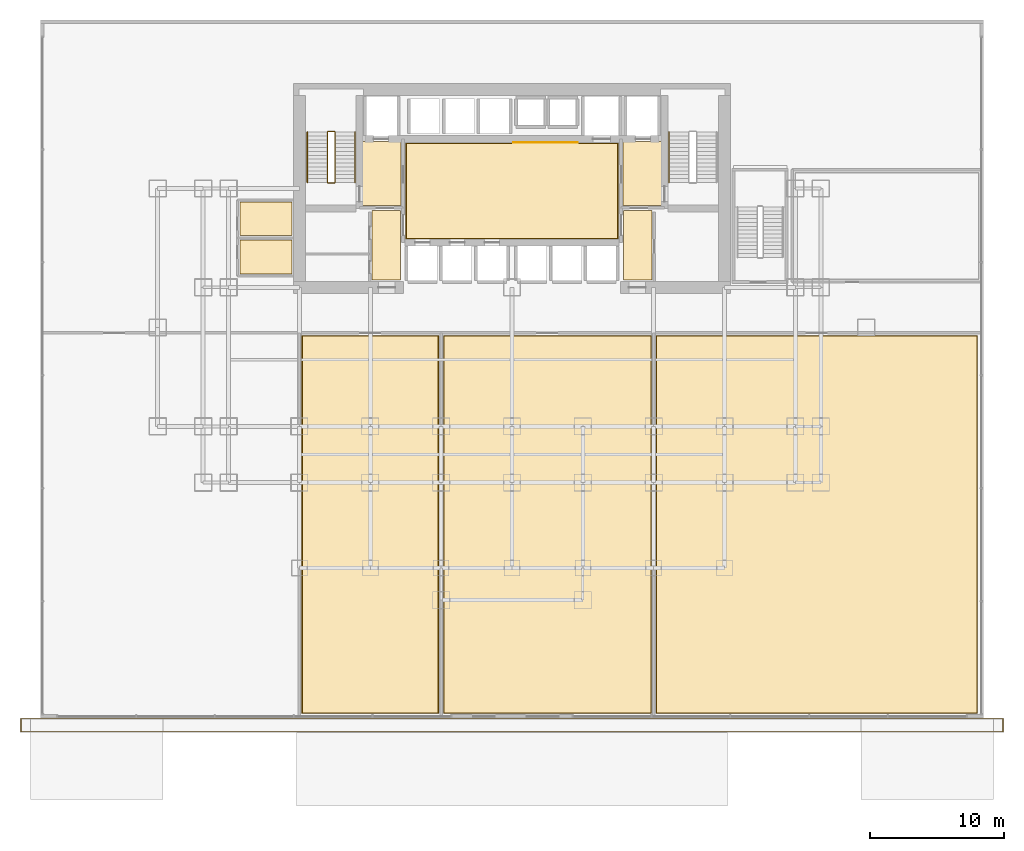
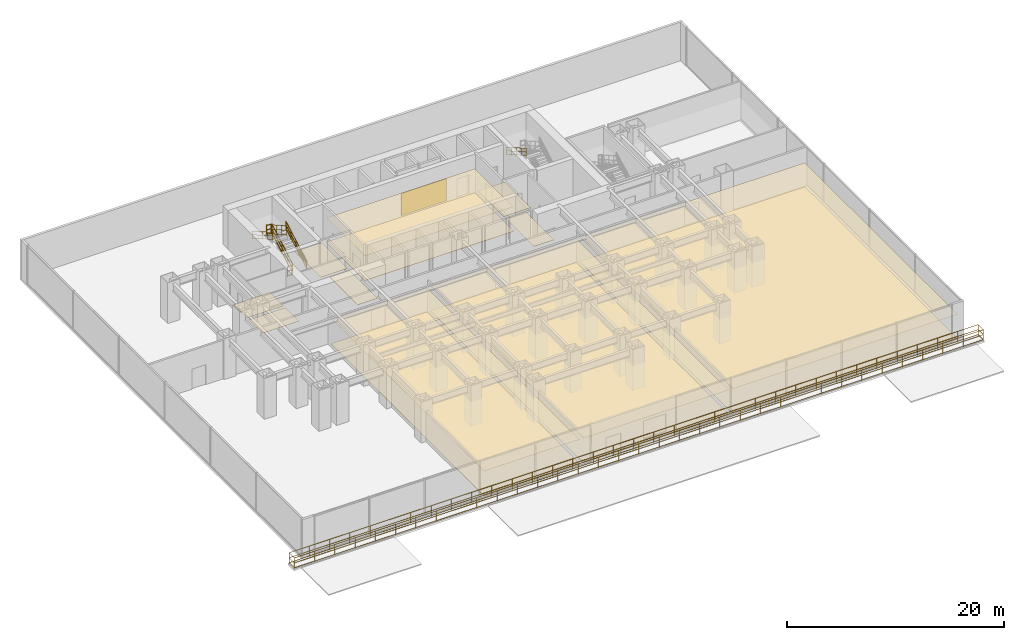
# One storey, part 12 of 13: 15 coverings, 8 railings.
"""IFC4 building model written with IfcOpenShell, lengths in metres."""

import ifcopenshell
import ifcopenshell.guid

model = None  # the IFC model being written
_history = None  # IfcOwnerHistory: only IFC2X3 demands one
_inside = {}  # id of a spatial element -> (the spatial element, [elements in it])
_under = {}  # id of a project, library or spatial element -> (it, [spatial elements below it])
_declared = {}  # id of a project -> (the project, [libraries it declares])
_typed = {}  # id of a type object -> (the type object, [elements of that type])
_made_of = {}  # id of a material, layer set ... -> (it, [elements and type objects made of it])


def new_model(schema):
    """Start an empty IFC model of exactly this schema.

    Asked for "IFC4X3", IfcOpenShell would pick the latest addendum, in which some entities
    have other attributes; the version numbers below select the first issue.
    IFC2X3 requires an IfcOwnerHistory on every rooted entity: one is made here for all.
    """
    global model, _history
    if schema == "IFC4X3":
        model = ifcopenshell.file(schema_version=(4, 3, 0, 0))
    else:
        model = ifcopenshell.file(schema=schema)
    _inside.clear()
    _under.clear()
    _declared.clear()
    _typed.clear()
    _made_of.clear()
    _history = None
    if model.schema == "IFC2X3":
        org = make("IfcOrganization", Name="unknown")
        user = make(
            "IfcPersonAndOrganization",
            ThePerson=make("IfcPerson", FamilyName="unknown"),
            TheOrganization=org,
        )
        app = make(
            "IfcApplication",
            ApplicationDeveloper=org,
            Version="unknown",
            ApplicationFullName="unknown",
            ApplicationIdentifier="unknown",
        )
        _history = make(
            "IfcOwnerHistory",
            OwningUser=user,
            OwningApplication=app,
            ChangeAction="ADDED",
            CreationDate=0,
        )
    return model


def make(cls, **values):
    """One entity of the class cls with the attributes given. An attribute that is None is left unset."""
    return model.create_entity(
        cls, **{name: value for name, value in values.items() if value is not None}
    )


def rooted(cls, **values):
    """An entity with a GlobalId (a new one), such as an element, a storey or a relation."""
    return make(cls, GlobalId=ifcopenshell.guid.new(), OwnerHistory=_history, **values)


def si_unit(unit_type, name, prefix=None):
    """IfcSIUnit, for example si_unit("LENGTHUNIT", "METRE", prefix="MILLI")."""
    return make("IfcSIUnit", UnitType=unit_type, Prefix=prefix, Name=name)


def assignment(units):
    """IfcUnitAssignment: the units of a project."""
    return None if units is None else make("IfcUnitAssignment", Units=units)


def point(xyz):
    """IfcCartesianPoint."""
    return None if xyz is None else make("IfcCartesianPoint", Coordinates=xyz)


def direction(xyz):
    """IfcDirection."""
    return None if xyz is None else make("IfcDirection", DirectionRatios=xyz)


def frame(location, z_axis=None, x_axis=None):
    """IfcAxis2Placement3D, a coordinate frame: its origin and axes. An axis left out is left unset."""
    return make(
        "IfcAxis2Placement3D",
        Location=point(location),
        Axis=direction(z_axis),
        RefDirection=direction(x_axis),
    )


def frame_2d(location, x_axis=None):
    """IfcAxis2Placement2D, a coordinate frame in the plane: its origin and x axis."""
    return make(
        "IfcAxis2Placement2D", Location=point(location), RefDirection=direction(x_axis)
    )


def origin():
    """The frame at (0, 0, 0) with its axes left unset."""
    return frame((0.0, 0.0, 0.0))


def origin_2d():
    """The frame at (0, 0) in the plane with its x axis left unset."""
    return frame_2d((0.0, 0.0))


def place(relative_to, where):
    """IfcLocalPlacement: puts the frame where relative to a parent placement (None: the world)."""
    return make(
        "IfcLocalPlacement", PlacementRelTo=relative_to, RelativePlacement=where
    )


def context(
    kind, dimensions, precision=None, world=None, true_north=None, identifier=None
):
    """IfcGeometricRepresentationContext, for example the 3D "Model" context."""
    return make(
        "IfcGeometricRepresentationContext",
        ContextIdentifier=identifier,
        ContextType=kind,
        CoordinateSpaceDimension=dimensions,
        Precision=precision,
        WorldCoordinateSystem=world,
        TrueNorth=true_north,
    )


def subcontext(parent, identifier, kind, view, scale=None):
    """IfcGeometricRepresentationSubContext, for example "Body" below "Model"."""
    return make(
        "IfcGeometricRepresentationSubContext",
        ContextIdentifier=identifier,
        ContextType=kind,
        ParentContext=parent,
        TargetScale=scale,
        TargetView=view,
    )


def project(units=None, contexts=None):
    """IfcProject with its units and contexts."""
    return rooted(
        "IfcProject",
        Name="project",
        RepresentationContexts=contexts,
        UnitsInContext=assignment(units),
    )


def spatial(cls, under=None, at=None, **own):
    """A site, building, storey or space (cls), placed at a placement, below another one or the project."""
    s = rooted(cls, ObjectPlacement=at, **own)
    if under is not None:
        _under.setdefault(under.id(), (under, []))[1].append(s)
    return s


def polyline(points):
    """IfcPolyline through the points."""
    return make("IfcPolyline", Points=[point(p) for p in points])


def profile(cls, at=None, kind="AREA", **sizes):
    """A parametric profile (cls). Its sizes go by their IFC names, for example OverallWidth=200.0."""
    return make(cls, ProfileType=kind, Position=at, **sizes)


def circle(**sizes):
    """IfcCircleProfileDef."""
    return profile("IfcCircleProfileDef", **sizes)


def outline(outer, holes=None, kind="AREA"):
    """IfcArbitraryClosedProfileDef: a profile drawn as a closed curve; with holes, ...WithVoids."""
    if holes is None:
        return make("IfcArbitraryClosedProfileDef", ProfileType=kind, OuterCurve=outer)
    return make(
        "IfcArbitraryProfileDefWithVoids",
        ProfileType=kind,
        OuterCurve=outer,
        InnerCurves=holes,
    )


def extrude(swept, where, along, depth):
    """IfcExtrudedAreaSolid: the profile swept, set in the frame where, extruded along a direction by depth."""
    return make(
        "IfcExtrudedAreaSolid",
        SweptArea=swept,
        Position=where,
        ExtrudedDirection=direction(along),
        Depth=depth,
    )


def shape(context_of_items, identifier, shape_type, items):
    """IfcShapeRepresentation: the items that make up one representation, for example the "Body"."""
    return make(
        "IfcShapeRepresentation",
        ContextOfItems=context_of_items,
        RepresentationIdentifier=identifier,
        RepresentationType=shape_type,
        Items=items,
    )


def material(Name=None, Category=None):
    """IfcMaterial."""
    return make("IfcMaterial", Name=Name, Category=Category)


def layer(
    of_material, thickness, ventilated=None, Name=None, Category=None, Priority=None
):
    """IfcMaterialLayer: one layer of a wall or slab, of a material (None: an air gap)."""
    return make(
        "IfcMaterialLayer",
        Material=of_material,
        LayerThickness=thickness,
        IsVentilated=ventilated,
        Name=Name,
        Category=Category,
        Priority=Priority,
    )


def layer_set(layers, Name=None):
    """IfcMaterialLayerSet."""
    return make("IfcMaterialLayerSet", MaterialLayers=layers, LayerSetName=Name)


def made_of(thing, what):
    """Note that an element or type object is made of a material, layer set ...; save() writes the relation."""
    if what is not None:
        _made_of.setdefault(what.id(), (what, []))[1].append(thing)
    return thing


def type_object(cls, material=None, **own):
    """A type object (cls), such as IfcWallType, which elements share."""
    return made_of(rooted(cls, **own), material)


def element(
    cls,
    number,
    at=None,
    inside=None,
    cuts=None,
    type_object=None,
    material=None,
    context=None,
    identifier="Body",
    shape_type=None,
    held_by="IfcProductDefinitionShape",
    body=None,
    shapes=None,
    **own,
):
    """One element of the class cls, such as IfcWall. Its Tag is "e" and its number.

    at: its placement. inside: the storey or other place that contains it. cuts: it is an
    opening in that element (IfcRelVoidsElement). A single representation is given by context,
    identifier, shape_type and body (its items); several are given by shapes. held_by: the class
    of the entity that holds the representations. save() writes the other relations.
    """
    e = rooted(cls, Tag="e%d" % number, ObjectPlacement=at, **own)
    if body is not None:
        shapes = [shape(context, identifier, shape_type, body)]
    if shapes is not None:
        e.Representation = make(held_by, Representations=shapes)
    if inside is not None:
        _inside.setdefault(inside.id(), (inside, []))[1].append(e)
    if cuts is not None:
        rooted(
            "IfcRelVoidsElement", RelatingBuildingElement=cuts, RelatedOpeningElement=e
        )
    if type_object is not None:
        _typed.setdefault(type_object.id(), (type_object, []))[1].append(e)
    return made_of(e, material)


def aggregate(whole, parts):
    """IfcRelAggregates: a whole, such as a stair, and the parts it consists of."""
    return rooted("IfcRelAggregates", RelatingObject=whole, RelatedObjects=parts)


def save(model, path):
    """Write the relations noted so far, then the file.

    IfcRelAggregates (storeys below a building ...), IfcRelContainedInSpatialStructure (elements
    in a storey), IfcRelDefinesByType, IfcRelAssociatesMaterial and IfcRelDeclares: one each for
    every whole, place, type object, material and project.
    """
    for whole, parts in _under.values():
        aggregate(whole, parts)
    for where, things in _inside.values():
        rooted(
            "IfcRelContainedInSpatialStructure",
            RelatedElements=things,
            RelatingStructure=where,
        )
    for kind, things in _typed.values():
        rooted("IfcRelDefinesByType", RelatedObjects=things, RelatingType=kind)
    for what, things in _made_of.values():
        rooted("IfcRelAssociatesMaterial", RelatedObjects=things, RelatingMaterial=what)
    for by, libraries in _declared.values():
        rooted("IfcRelDeclares", RelatingContext=by, RelatedDefinitions=libraries)
    model.write(path)


model = new_model("IFC4")

# Units and contexts
model_context = context("Model", 3, precision=1e-05, world=origin(), true_north=direction((0.0, 1.0)))
body_context = subcontext(model_context, "Body", "Model", "MODEL_VIEW")
ifc_project = project(units=[si_unit("LENGTHUNIT", "METRE"), si_unit("AREAUNIT", "SQUARE_METRE"), si_unit("VOLUMEUNIT", "CUBIC_METRE"), si_unit("PLANEANGLEUNIT", "RADIAN"), si_unit("MASSUNIT", "GRAM", prefix="KILO")], contexts=[model_context])

# Site, building, storey
site_placement = place(None, origin())
site = spatial("IfcSite", under=ifc_project, at=site_placement, CompositionType="ELEMENT")
building_placement = place(site_placement, origin())
building = spatial("IfcBuilding", under=site, at=building_placement, Name="Qianlan Lanfeng Residences", CompositionType="ELEMENT")
storey_placement = place(building_placement, frame((0.0, 0.0, 5.199951171875)))
storey = spatial("IfcBuildingStorey", under=building, at=storey_placement, Name="L01", CompositionType="ELEMENT", Elevation=5.199951171875)

# Coverings
ifc_material_1 = material(Name="Anodised Bronze Feature Wall Cladding")
ifc_layer_1 = layer(ifc_material_1, 0.02490234375)
ifc_layer_set_1 = layer_set([ifc_layer_1], Name="Anodised Bronze Feature Wall Cladding")
covering_type_1 = type_object("IfcCoveringType", Name="CLD-BRZ-25", PredefinedType="CLADDING", material=ifc_layer_set_1)
covering_1_placement = place(storey_placement, frame((0.0, 0.0, 0.150146484375)))
element("IfcCovering", 1, at=covering_1_placement, inside=storey, type_object=covering_type_1, Name="L01 Lift Lobby Bronze Feature Cladding", PredefinedType="CLADDING", context=body_context, shape_type="SweptSolid", body=[
    extrude(outline(polyline([(26.60009765625, 36.02490234375), (31.39990234375, 36.02490234375), (31.39990234375, 36.050048828125), (26.60009765625, 36.050048828125), (26.60009765625, 36.02490234375)])), origin(), (0.0, 0.0, 1.0), 2.5),
])
ifc_material_2 = material(Name="Acoustic Perforated Gypsum Ceiling Board")
ifc_layer_2 = layer(ifc_material_2, 0.02001953125)
ifc_layer_set_2 = layer_set([ifc_layer_2], Name="Acoustic Perforated Gypsum Ceiling Board")
covering_type_2 = type_object("IfcCoveringType", Name="CLG-GYP-15", PredefinedType="CEILING", material=ifc_layer_set_2)
covering_2_placement = place(storey_placement, frame((0.0, 0.0, 2.75)))
element("IfcCovering", 2, at=covering_2_placement, inside=storey, type_object=covering_type_2, Name="L01 Lift Lobby Suspended Ceiling", PredefinedType="CEILING", context=body_context, shape_type="SweptSolid", body=[
    extrude(outline(polyline([(18.60009765625, 28.8701171875), (34.39990234375, 28.8701171875), (34.39990234375, 35.9599609375), (18.60009765625, 35.9599609375), (18.60009765625, 28.8701171875)])), origin(), (0.0, 0.0, 1.0), 0.02001953125),
])
covering_3_placement = place(storey_placement, frame((0.0, 0.0, 2.75)))
element("IfcCovering", 3, at=covering_3_placement, inside=storey, type_object=covering_type_2, Name="L01 Fitness Gymnasium Suspended Ceiling", PredefinedType="CEILING", context=body_context, shape_type="SweptSolid", body=[
    extrude(outline(polyline([(10.820068359375, -6.6298828125), (20.97998046875, -6.6298828125), (20.97998046875, 21.56005859375), (10.820068359375, 21.56005859375), (10.820068359375, -6.6298828125)])), origin(), (0.0, 0.0, 1.0), 0.02001953125),
])
covering_4_placement = place(storey_placement, frame((0.0, 0.0, 2.75)))
element("IfcCovering", 4, at=covering_4_placement, inside=storey, type_object=covering_type_2, Name="L01 Yoga Studio Suspended Ceiling", PredefinedType="CEILING", context=body_context, shape_type="SweptSolid", body=[
    extrude(outline(polyline([(21.419921875, -6.6298828125), (36.8798828125, -6.6298828125), (36.8798828125, 21.56005859375), (21.419921875, 21.56005859375), (21.419921875, -6.6298828125)])), origin(), (0.0, 0.0, 1.0), 0.02001953125),
])
covering_5_placement = place(storey_placement, frame((0.0, 0.0, 2.75)))
element("IfcCovering", 5, at=covering_5_placement, inside=storey, type_object=covering_type_2, Name="L01 Harbour Retail Gallery Suspended Ceiling", PredefinedType="CEILING", context=body_context, shape_type="SweptSolid", body=[
    extrude(outline(polyline([(37.320068359375, -6.6298828125), (61.280029296875, -6.6298828125), (61.280029296875, 21.56005859375), (37.320068359375, 21.56005859375), (37.320068359375, -6.6298828125)])), origin(), (0.0, 0.0, 1.0), 0.02001953125),
])
ifc_material_3 = material(Name="Honed Taitung Granite Stone Flooring", Category="masonry")
ifc_layer_3 = layer(ifc_material_3, 0.030029296875)
ifc_layer_set_3 = layer_set([ifc_layer_3], Name="Honed Taitung Granite Stone Flooring")
covering_type_3 = type_object("IfcCoveringType", Name="FLR-STN-30", PredefinedType="FLOORING", material=ifc_layer_set_3)
covering_6_placement = place(storey_placement, origin())
element("IfcCovering", 6, at=covering_6_placement, inside=storey, type_object=covering_type_3, Name="L01 Firefighting Lift Lobby Floor Finish", PredefinedType="FLOORING", context=body_context, shape_type="SweptSolid", body=[
    extrude(outline(polyline([(15.2900390625, 31.320068359375), (18.179931640625, 31.320068359375), (18.179931640625, 36.110107421875), (15.2900390625, 36.110107421875), (15.2900390625, 31.320068359375)])), origin(), (0.0, 0.0, 1.0), 0.030029296875),
])
covering_7_placement = place(storey_placement, origin())
element("IfcCovering", 7, at=covering_7_placement, inside=storey, type_object=covering_type_3, Name="L01 Firefighting Lift Lobby Floor Finish", PredefinedType="FLOORING", context=body_context, shape_type="SweptSolid", body=[
    extrude(outline(polyline([(34.820068359375, 31.320068359375), (37.7099609375, 31.320068359375), (37.7099609375, 36.110107421875), (34.820068359375, 36.110107421875), (34.820068359375, 31.320068359375)])), origin(), (0.0, 0.0, 1.0), 0.030029296875),
])
covering_8_placement = place(storey_placement, origin())
element("IfcCovering", 8, at=covering_8_placement, inside=storey, type_object=covering_type_3, Name="L01 Lift Lobby Floor Finish", PredefinedType="FLOORING", context=body_context, shape_type="SweptSolid", body=[
    extrude(outline(polyline([(18.550048828125, 28.820068359375), (34.449951171875, 28.820068359375), (34.449951171875, 36.010009765625), (18.550048828125, 36.010009765625), (18.550048828125, 28.820068359375)])), origin(), (0.0, 0.0, 1.0), 0.030029296875),
])
covering_9_placement = place(storey_placement, origin())
element("IfcCovering", 9, at=covering_9_placement, inside=storey, type_object=covering_type_3, Name="L01 Lift Lobby Floor Finish", PredefinedType="FLOORING", context=body_context, shape_type="SweptSolid", body=[
    extrude(outline(polyline([(16.030029296875, 25.77001953125), (18.169921875, 25.77001953125), (18.169921875, 30.949951171875), (16.030029296875, 30.949951171875), (16.030029296875, 25.77001953125)])), origin(), (0.0, 0.0, 1.0), 0.030029296875),
])
covering_10_placement = place(storey_placement, origin())
element("IfcCovering", 10, at=covering_10_placement, inside=storey, type_object=covering_type_3, Name="L01 Lift Lobby Floor Finish", PredefinedType="FLOORING", context=body_context, shape_type="SweptSolid", body=[
    extrude(outline(polyline([(34.830078125, 25.77001953125), (36.969970703125, 25.77001953125), (36.969970703125, 30.949951171875), (34.830078125, 30.949951171875), (34.830078125, 25.77001953125)])), origin(), (0.0, 0.0, 1.0), 0.030029296875),
])
ifc_material_4 = material(Name="Slip-Resistant Porcelain Tile Flooring")
ifc_layer_4 = layer(ifc_material_4, 0.02001953125)
ifc_layer_set_4 = layer_set([ifc_layer_4], Name="Slip-Resistant Porcelain Tile Flooring")
covering_type_4 = type_object("IfcCoveringType", Name="FLR-TIL-20", PredefinedType="FLOORING", material=ifc_layer_set_4)
covering_11_placement = place(storey_placement, origin())
element("IfcCovering", 11, at=covering_11_placement, inside=storey, type_object=covering_type_4, Name="L01 Public Restroom Floor Finish", PredefinedType="FLOORING", context=body_context, shape_type="SweptSolid", body=[
    extrude(outline(polyline([(6.14990234375, 26.219970703125), (10.0400390625, 26.219970703125), (10.0400390625, 28.72998046875), (6.14990234375, 28.72998046875), (6.14990234375, 26.219970703125)])), origin(), (0.0, 0.0, 1.0), 0.02001953125),
])
covering_12_placement = place(storey_placement, origin())
element("IfcCovering", 12, at=covering_12_placement, inside=storey, type_object=covering_type_4, Name="L01 Accessible WC Floor Finish", PredefinedType="FLOORING", context=body_context, shape_type="SweptSolid", body=[
    extrude(outline(polyline([(6.14990234375, 29.070068359375), (10.0400390625, 29.070068359375), (10.0400390625, 31.580078125), (6.14990234375, 31.580078125), (6.14990234375, 29.070068359375)])), origin(), (0.0, 0.0, 1.0), 0.02001953125),
])
ifc_material_5 = material(Name="Engineered Smoked Oak Timber Flooring", Category="wood")
ifc_layer_5 = layer(ifc_material_5, 0.02197265625)
ifc_layer_set_5 = layer_set([ifc_layer_5], Name="Engineered Smoked Oak Timber Flooring")
covering_type_5 = type_object("IfcCoveringType", Name="FLR-TIM-22", PredefinedType="FLOORING", material=ifc_layer_set_5)
covering_13_placement = place(storey_placement, origin())
element("IfcCovering", 13, at=covering_13_placement, inside=storey, type_object=covering_type_5, Name="L01 Fitness Gymnasium Floor Finish", PredefinedType="FLOORING", context=body_context, shape_type="SweptSolid", body=[
    extrude(outline(polyline([(10.77001953125, -6.679931640625), (21.030029296875, -6.679931640625), (21.030029296875, 21.610107421875), (10.77001953125, 21.610107421875), (10.77001953125, -6.679931640625)])), origin(), (0.0, 0.0, 1.0), 0.02197265625),
])
covering_14_placement = place(storey_placement, origin())
element("IfcCovering", 14, at=covering_14_placement, inside=storey, type_object=covering_type_5, Name="L01 Yoga Studio Floor Finish", PredefinedType="FLOORING", context=body_context, shape_type="SweptSolid", body=[
    extrude(outline(polyline([(21.3701171875, -6.679931640625), (36.929931640625, -6.679931640625), (36.929931640625, 21.610107421875), (21.3701171875, 21.610107421875), (21.3701171875, -6.679931640625)])), origin(), (0.0, 0.0, 1.0), 0.02197265625),
])
covering_15_placement = place(storey_placement, origin())
element("IfcCovering", 15, at=covering_15_placement, inside=storey, type_object=covering_type_5, Name="L01 Harbour Retail Gallery Floor Finish", PredefinedType="FLOORING", context=body_context, shape_type="SweptSolid", body=[
    extrude(outline(polyline([(37.27001953125, -6.679931640625), (61.330078125, -6.679931640625), (61.330078125, 21.610107421875), (37.27001953125, 21.610107421875), (37.27001953125, -6.679931640625)])), origin(), (0.0, 0.0, 1.0), 0.02197265625),
])

# Railings
ifc_material_6 = material(Name="Anodised Bronze Aluminium and Laminated Glass Guard Balustrade", Category="aluminium")
railing_type_1 = type_object("IfcRailingType", Name="GR-EXT-1220", PredefinedType="BALUSTRADE", material=ifc_material_6)
railing_1_placement = place(storey_placement, frame((-10.22998046875, -7.070068359375, 0.0)))
element("IfcRailing", 16, at=railing_1_placement, inside=storey, type_object=railing_type_1, Name="L01 Terrace Safety Guard GR-L01-TER", PredefinedType="BALUSTRADE", context=body_context, shape_type="SweptSolid", body=[
    extrude(circle(Radius=0.02490234375, at=origin_2d()), frame((0.0, 0.0, 0.0849609375), z_axis=(1.0, 0.0, 0.0), x_axis=(0.0, 1.0, 0.0)), (0.0, 0.0, 1.0), 73.4599609375),
    extrude(circle(Radius=0.02490234375, at=origin_2d()), frame((0.0, 0.0, 0.63427734375), z_axis=(1.0, 0.0, 0.0), x_axis=(0.0, 1.0, 0.0)), (0.0, 0.0, 1.0), 73.4599609375),
    extrude(circle(Radius=0.02490234375, at=origin_2d()), frame((0.0, 0.0, 1.19482421875), z_axis=(1.0, 0.0, 0.0), x_axis=(0.0, 1.0, 0.0)), (0.0, 0.0, 1.0), 73.4599609375),
    extrude(circle(Radius=0.02490234375, at=origin_2d()), frame((73.4599609375, 0.0, 0.0849609375), z_axis=(0.0, -1.0, 0.0), x_axis=(1.0, 0.0, 0.0)), (0.0, 0.0, 1.0), 0.9599609375),
    extrude(circle(Radius=0.02490234375, at=origin_2d()), frame((73.4599609375, 0.0, 0.63427734375), z_axis=(0.0, -1.0, 0.0), x_axis=(1.0, 0.0, 0.0)), (0.0, 0.0, 1.0), 0.9599609375),
    extrude(circle(Radius=0.02490234375, at=origin_2d()), frame((73.4599609375, 0.0, 1.19482421875), z_axis=(0.0, -1.0, 0.0), x_axis=(1.0, 0.0, 0.0)), (0.0, 0.0, 1.0), 0.9599609375),
    extrude(circle(Radius=0.02490234375, at=origin_2d()), frame((73.4599609375, -0.9599609375, 0.0849609375), z_axis=(-1.0, 0.0, 0.0), x_axis=(0.0, -1.0, 0.0)), (0.0, 0.0, 1.0), 73.4599609375),
    extrude(circle(Radius=0.02490234375, at=origin_2d()), frame((73.4599609375, -0.9599609375, 0.63427734375), z_axis=(-1.0, 0.0, 0.0), x_axis=(0.0, -1.0, 0.0)), (0.0, 0.0, 1.0), 73.4599609375),
    extrude(circle(Radius=0.02490234375, at=origin_2d()), frame((73.4599609375, -0.9599609375, 1.19482421875), z_axis=(-1.0, 0.0, 0.0), x_axis=(0.0, -1.0, 0.0)), (0.0, 0.0, 1.0), 73.4599609375),
    extrude(circle(Radius=0.02490234375, at=origin_2d()), frame((0.0, -0.9599609375, 0.0849609375), z_axis=(0.0, 1.0, 0.0), x_axis=(-1.0, 0.0, 0.0)), (0.0, 0.0, 1.0), 0.9599609375),
    extrude(circle(Radius=0.02490234375, at=origin_2d()), frame((0.0, -0.9599609375, 0.63427734375), z_axis=(0.0, 1.0, 0.0), x_axis=(-1.0, 0.0, 0.0)), (0.0, 0.0, 1.0), 0.9599609375),
    extrude(circle(Radius=0.02490234375, at=origin_2d()), frame((0.0, -0.9599609375, 1.19482421875), z_axis=(0.0, 1.0, 0.0), x_axis=(-1.0, 0.0, 0.0)), (0.0, 0.0, 1.0), 0.9599609375),
    extrude(circle(Radius=0.02099609375, at=origin_2d()), origin(), (0.0, 0.0, 1.0), 1.169921875),
    extrude(circle(Radius=0.02099609375, at=origin_2d()), frame((2.16064453125, 0.0, 0.0)), (0.0, 0.0, 1.0), 1.169921875),
    extrude(circle(Radius=0.02099609375, at=origin_2d()), frame((4.3212890625, 0.0, 0.0)), (0.0, 0.0, 1.0), 1.169921875),
    extrude(circle(Radius=0.02099609375, at=origin_2d()), frame((6.481689453125, 0.0, 0.0)), (0.0, 0.0, 1.0), 1.169921875),
    extrude(circle(Radius=0.02099609375, at=origin_2d()), frame((8.642333984375, 0.0, 0.0)), (0.0, 0.0, 1.0), 1.169921875),
    extrude(circle(Radius=0.02099609375, at=origin_2d()), frame((10.802978515625, 0.0, 0.0)), (0.0, 0.0, 1.0), 1.169921875),
    extrude(circle(Radius=0.02099609375, at=origin_2d()), frame((12.963623046875, 0.0, 0.0)), (0.0, 0.0, 1.0), 1.169921875),
    extrude(circle(Radius=0.02099609375, at=origin_2d()), frame((15.1240234375, 0.0, 0.0)), (0.0, 0.0, 1.0), 1.169921875),
    extrude(circle(Radius=0.02099609375, at=origin_2d()), frame((17.28466796875, 0.0, 0.0)), (0.0, 0.0, 1.0), 1.169921875),
    extrude(circle(Radius=0.02099609375, at=origin_2d()), frame((19.4453125, 0.0, 0.0)), (0.0, 0.0, 1.0), 1.169921875),
    extrude(circle(Radius=0.02099609375, at=origin_2d()), frame((21.60595703125, 0.0, 0.0)), (0.0, 0.0, 1.0), 1.169921875),
    extrude(circle(Radius=0.02099609375, at=origin_2d()), frame((23.766357421875, 0.0, 0.0)), (0.0, 0.0, 1.0), 1.169921875),
    extrude(circle(Radius=0.02099609375, at=origin_2d()), frame((25.927001953125, 0.0, 0.0)), (0.0, 0.0, 1.0), 1.169921875),
    extrude(circle(Radius=0.02099609375, at=origin_2d()), frame((28.087646484375, 0.0, 0.0)), (0.0, 0.0, 1.0), 1.169921875),
    extrude(circle(Radius=0.02099609375, at=origin_2d()), frame((30.248291015625, 0.0, 0.0)), (0.0, 0.0, 1.0), 1.169921875),
    extrude(circle(Radius=0.02099609375, at=origin_2d()), frame((32.40869140625, 0.0, 0.0)), (0.0, 0.0, 1.0), 1.169921875),
    extrude(circle(Radius=0.02099609375, at=origin_2d()), frame((34.5693359375, 0.0, 0.0)), (0.0, 0.0, 1.0), 1.169921875),
    extrude(circle(Radius=0.02099609375, at=origin_2d()), frame((36.72998046875, 0.0, 0.0)), (0.0, 0.0, 1.0), 1.169921875),
    extrude(circle(Radius=0.02099609375, at=origin_2d()), frame((38.890625, 0.0, 0.0)), (0.0, 0.0, 1.0), 1.169921875),
    extrude(circle(Radius=0.02099609375, at=origin_2d()), frame((41.05126953125, 0.0, 0.0)), (0.0, 0.0, 1.0), 1.169921875),
    extrude(circle(Radius=0.02099609375, at=origin_2d()), frame((43.211669921875, 0.0, 0.0)), (0.0, 0.0, 1.0), 1.169921875),
    extrude(circle(Radius=0.02099609375, at=origin_2d()), frame((45.372314453125, 0.0, 0.0)), (0.0, 0.0, 1.0), 1.169921875),
    extrude(circle(Radius=0.02099609375, at=origin_2d()), frame((47.532958984375, 0.0, 0.0)), (0.0, 0.0, 1.0), 1.169921875),
    extrude(circle(Radius=0.02099609375, at=origin_2d()), frame((49.693603515625, 0.0, 0.0)), (0.0, 0.0, 1.0), 1.169921875),
    extrude(circle(Radius=0.02099609375, at=origin_2d()), frame((51.85400390625, 0.0, 0.0)), (0.0, 0.0, 1.0), 1.169921875),
    extrude(circle(Radius=0.02099609375, at=origin_2d()), frame((54.0146484375, 0.0, 0.0)), (0.0, 0.0, 1.0), 1.169921875),
    extrude(circle(Radius=0.02099609375, at=origin_2d()), frame((56.17529296875, 0.0, 0.0)), (0.0, 0.0, 1.0), 1.169921875),
    extrude(circle(Radius=0.02099609375, at=origin_2d()), frame((58.3359375, 0.0, 0.0)), (0.0, 0.0, 1.0), 1.169921875),
    extrude(circle(Radius=0.02099609375, at=origin_2d()), frame((60.496337890625, 0.0, 0.0)), (0.0, 0.0, 1.0), 1.169921875),
    extrude(circle(Radius=0.02099609375, at=origin_2d()), frame((62.656982421875, 0.0, 0.0)), (0.0, 0.0, 1.0), 1.169921875),
    extrude(circle(Radius=0.02099609375, at=origin_2d()), frame((64.817626953125, 0.0, 0.0)), (0.0, 0.0, 1.0), 1.169921875),
    extrude(circle(Radius=0.02099609375, at=origin_2d()), frame((66.978271484375, 0.0, 0.0)), (0.0, 0.0, 1.0), 1.169921875),
    extrude(circle(Radius=0.02099609375, at=origin_2d()), frame((69.138671875, 0.0, 0.0)), (0.0, 0.0, 1.0), 1.169921875),
    extrude(circle(Radius=0.02099609375, at=origin_2d()), frame((71.29931640625, 0.0, 0.0)), (0.0, 0.0, 1.0), 1.169921875),
    extrude(circle(Radius=0.02099609375, at=origin_2d()), frame((73.4599609375, 0.0, 0.0)), (0.0, 0.0, 1.0), 1.169921875),
    extrude(circle(Radius=0.02099609375, at=origin_2d()), frame((73.4599609375, -0.9599609375, 0.0)), (0.0, 0.0, 1.0), 1.169921875),
    extrude(circle(Radius=0.02099609375, at=origin_2d()), frame((71.29931640625, -0.9599609375, 0.0)), (0.0, 0.0, 1.0), 1.169921875),
    extrude(circle(Radius=0.02099609375, at=origin_2d()), frame((69.138671875, -0.9599609375, 0.0)), (0.0, 0.0, 1.0), 1.169921875),
    extrude(circle(Radius=0.02099609375, at=origin_2d()), frame((66.978271484375, -0.9599609375, 0.0)), (0.0, 0.0, 1.0), 1.169921875),
    extrude(circle(Radius=0.02099609375, at=origin_2d()), frame((64.817626953125, -0.9599609375, 0.0)), (0.0, 0.0, 1.0), 1.169921875),
    extrude(circle(Radius=0.02099609375, at=origin_2d()), frame((62.656982421875, -0.9599609375, 0.0)), (0.0, 0.0, 1.0), 1.169921875),
    extrude(circle(Radius=0.02099609375, at=origin_2d()), frame((60.496337890625, -0.9599609375, 0.0)), (0.0, 0.0, 1.0), 1.169921875),
    extrude(circle(Radius=0.02099609375, at=origin_2d()), frame((58.3359375, -0.9599609375, 0.0)), (0.0, 0.0, 1.0), 1.169921875),
    extrude(circle(Radius=0.02099609375, at=origin_2d()), frame((56.17529296875, -0.9599609375, 0.0)), (0.0, 0.0, 1.0), 1.169921875),
    extrude(circle(Radius=0.02099609375, at=origin_2d()), frame((54.0146484375, -0.9599609375, 0.0)), (0.0, 0.0, 1.0), 1.169921875),
    extrude(circle(Radius=0.02099609375, at=origin_2d()), frame((51.85400390625, -0.9599609375, 0.0)), (0.0, 0.0, 1.0), 1.169921875),
    extrude(circle(Radius=0.02099609375, at=origin_2d()), frame((49.693603515625, -0.9599609375, 0.0)), (0.0, 0.0, 1.0), 1.169921875),
    extrude(circle(Radius=0.02099609375, at=origin_2d()), frame((47.532958984375, -0.9599609375, 0.0)), (0.0, 0.0, 1.0), 1.169921875),
    extrude(circle(Radius=0.02099609375, at=origin_2d()), frame((45.372314453125, -0.9599609375, 0.0)), (0.0, 0.0, 1.0), 1.169921875),
    extrude(circle(Radius=0.02099609375, at=origin_2d()), frame((43.211669921875, -0.9599609375, 0.0)), (0.0, 0.0, 1.0), 1.169921875),
    extrude(circle(Radius=0.02099609375, at=origin_2d()), frame((41.05126953125, -0.9599609375, 0.0)), (0.0, 0.0, 1.0), 1.169921875),
    extrude(circle(Radius=0.02099609375, at=origin_2d()), frame((38.890625, -0.9599609375, 0.0)), (0.0, 0.0, 1.0), 1.169921875),
    extrude(circle(Radius=0.02099609375, at=origin_2d()), frame((36.72998046875, -0.9599609375, 0.0)), (0.0, 0.0, 1.0), 1.169921875),
    extrude(circle(Radius=0.02099609375, at=origin_2d()), frame((34.5693359375, -0.9599609375, 0.0)), (0.0, 0.0, 1.0), 1.169921875),
    extrude(circle(Radius=0.02099609375, at=origin_2d()), frame((32.40869140625, -0.9599609375, 0.0)), (0.0, 0.0, 1.0), 1.169921875),
    extrude(circle(Radius=0.02099609375, at=origin_2d()), frame((30.248291015625, -0.9599609375, 0.0)), (0.0, 0.0, 1.0), 1.169921875),
    extrude(circle(Radius=0.02099609375, at=origin_2d()), frame((28.087646484375, -0.9599609375, 0.0)), (0.0, 0.0, 1.0), 1.169921875),
    extrude(circle(Radius=0.02099609375, at=origin_2d()), frame((25.927001953125, -0.9599609375, 0.0)), (0.0, 0.0, 1.0), 1.169921875),
    extrude(circle(Radius=0.02099609375, at=origin_2d()), frame((23.766357421875, -0.9599609375, 0.0)), (0.0, 0.0, 1.0), 1.169921875),
    extrude(circle(Radius=0.02099609375, at=origin_2d()), frame((21.60595703125, -0.9599609375, 0.0)), (0.0, 0.0, 1.0), 1.169921875),
    extrude(circle(Radius=0.02099609375, at=origin_2d()), frame((19.4453125, -0.9599609375, 0.0)), (0.0, 0.0, 1.0), 1.169921875),
    extrude(circle(Radius=0.02099609375, at=origin_2d()), frame((17.28466796875, -0.9599609375, 0.0)), (0.0, 0.0, 1.0), 1.169921875),
    extrude(circle(Radius=0.02099609375, at=origin_2d()), frame((15.1240234375, -0.9599609375, 0.0)), (0.0, 0.0, 1.0), 1.169921875),
    extrude(circle(Radius=0.02099609375, at=origin_2d()), frame((12.963623046875, -0.9599609375, 0.0)), (0.0, 0.0, 1.0), 1.169921875),
    extrude(circle(Radius=0.02099609375, at=origin_2d()), frame((10.802978515625, -0.9599609375, 0.0)), (0.0, 0.0, 1.0), 1.169921875),
    extrude(circle(Radius=0.02099609375, at=origin_2d()), frame((8.642333984375, -0.9599609375, 0.0)), (0.0, 0.0, 1.0), 1.169921875),
    extrude(circle(Radius=0.02099609375, at=origin_2d()), frame((6.481689453125, -0.9599609375, 0.0)), (0.0, 0.0, 1.0), 1.169921875),
    extrude(circle(Radius=0.02099609375, at=origin_2d()), frame((4.3212890625, -0.9599609375, 0.0)), (0.0, 0.0, 1.0), 1.169921875),
    extrude(circle(Radius=0.02099609375, at=origin_2d()), frame((2.16064453125, -0.9599609375, 0.0)), (0.0, 0.0, 1.0), 1.169921875),
    extrude(circle(Radius=0.02099609375, at=origin_2d()), frame((0.0, -0.9599609375, 0.0)), (0.0, 0.0, 1.0), 1.169921875),
])
ifc_material_7 = material(Name="Painted Galvanised Steel Guardrail", Category="steel")
railing_type_2 = type_object("IfcRailingType", Name="GR-ST-1120", PredefinedType="GUARDRAIL", material=ifc_material_7)
railing_2_placement = place(storey_placement, frame((13.27001953125, 33.050048828125, 0.164306640625)))
element("IfcRailing", 17, at=railing_2_placement, inside=storey, type_object=railing_type_2, Name="L01 ST-1 stair guard 1", PredefinedType="GUARDRAIL", context=body_context, shape_type="SweptSolid", body=[
    extrude(circle(Radius=0.02392578125, at=origin_2d()), frame((0.0, 0.0, 0.083984375), z_axis=(0.0, 0.870081794457, 0.492907365491), x_axis=(-1.0, 0.0, 0.0)), (0.0, 0.0, 1.0), 4.3330078125),
    extrude(circle(Radius=0.02392578125, at=origin_2d()), frame((0.0, 0.0, 0.58251953125), z_axis=(0.0, 0.870081794457, 0.492907365491), x_axis=(-1.0, 0.0, 0.0)), (0.0, 0.0, 1.0), 4.3330078125),
    extrude(circle(Radius=0.02392578125, at=origin_2d()), frame((0.0, 0.0, 1.09619140625), z_axis=(0.0, 0.870081794457, 0.492907365491), x_axis=(-1.0, 0.0, 0.0)), (0.0, 0.0, 1.0), 4.3330078125),
    extrude(circle(Radius=0.02099609375, at=origin_2d()), origin(), (0.0, 0.0, 1.0), 1.072021484375),
    extrude(circle(Radius=0.02099609375, at=origin_2d()), frame((0.0, 0.9423828125, 0.533935546875)), (0.0, 0.0, 1.0), 1.072021484375),
    extrude(circle(Radius=0.02099609375, at=origin_2d()), frame((0.0, 1.885009765625, 1.06787109375)), (0.0, 0.0, 1.0), 1.072021484375),
    extrude(circle(Radius=0.02099609375, at=origin_2d()), frame((0.0, 2.82763671875, 1.601806640625)), (0.0, 0.0, 1.0), 1.072021484375),
    extrude(circle(Radius=0.02099609375, at=origin_2d()), frame((0.0, 3.77001953125, 2.1357421875)), (0.0, 0.0, 1.0), 1.072021484375),
])
railing_3_placement = place(storey_placement, frame((13.219970703125, 36.8701171875, 2.300048828125)))
element("IfcRailing", 18, at=railing_3_placement, inside=storey, type_object=railing_type_2, Name="L01 ST-1 stair guard 2", PredefinedType="GUARDRAIL", context=body_context, shape_type="SweptSolid", body=[
    extrude(circle(Radius=0.02392578125, at=origin_2d()), frame((0.0, 0.0, 0.083984375), z_axis=(-1.0, 0.0, 0.0), x_axis=(0.0, -1.0, 0.0)), (0.0, 0.0, 1.0), 0.47998046875),
    extrude(circle(Radius=0.02392578125, at=origin_2d()), frame((0.0, 0.0, 0.58251953125), z_axis=(-1.0, 0.0, 0.0), x_axis=(0.0, -1.0, 0.0)), (0.0, 0.0, 1.0), 0.47998046875),
    extrude(circle(Radius=0.02392578125, at=origin_2d()), frame((0.0, 0.0, 1.09619140625), z_axis=(-1.0, 0.0, 0.0), x_axis=(0.0, -1.0, 0.0)), (0.0, 0.0, 1.0), 0.47998046875),
    extrude(circle(Radius=0.02099609375, at=origin_2d()), origin(), (0.0, 0.0, 1.0), 1.072021484375),
    extrude(circle(Radius=0.02099609375, at=origin_2d()), frame((-0.47998046875, 0.0, 0.0)), (0.0, 0.0, 1.0), 1.072021484375),
])
railing_4_placement = place(storey_placement, frame((12.68994140625, 36.820068359375, 2.46435546875)))
element("IfcRailing", 19, at=railing_4_placement, inside=storey, type_object=railing_type_2, Name="L01 ST-1 stair guard 3", PredefinedType="GUARDRAIL", context=body_context, shape_type="SweptSolid", body=[
    extrude(circle(Radius=0.02392578125, at=origin_2d()), frame((0.0, 0.0, 0.083984375), z_axis=(0.0, -0.870081794457, 0.492907365491), x_axis=(1.0, 0.0, 0.0)), (0.0, 0.0, 1.0), 4.3330078125),
    extrude(circle(Radius=0.02392578125, at=origin_2d()), frame((0.0, 0.0, 0.58251953125), z_axis=(0.0, -0.870081794457, 0.492907365491), x_axis=(1.0, 0.0, 0.0)), (0.0, 0.0, 1.0), 4.3330078125),
    extrude(circle(Radius=0.02392578125, at=origin_2d()), frame((0.0, 0.0, 1.09619140625), z_axis=(0.0, -0.870081794457, 0.492907365491), x_axis=(1.0, 0.0, 0.0)), (0.0, 0.0, 1.0), 4.3330078125),
    extrude(circle(Radius=0.02099609375, at=origin_2d()), origin(), (0.0, 0.0, 1.0), 1.072021484375),
    extrude(circle(Radius=0.02099609375, at=origin_2d()), frame((0.0, -0.9423828125, 0.533935546875)), (0.0, 0.0, 1.0), 1.072021484375),
    extrude(circle(Radius=0.02099609375, at=origin_2d()), frame((0.0, -1.885009765625, 1.06787109375)), (0.0, 0.0, 1.0), 1.072021484375),
    extrude(circle(Radius=0.02099609375, at=origin_2d()), frame((0.0, -2.82763671875, 1.601806640625)), (0.0, 0.0, 1.0), 1.072021484375),
    extrude(circle(Radius=0.02099609375, at=origin_2d()), frame((0.0, -3.77001953125, 2.1357421875)), (0.0, 0.0, 1.0), 1.072021484375),
])
railing_5_placement = place(storey_placement, frame((13.219970703125, 33.0, 0.0)))
element("IfcRailing", 20, at=railing_5_placement, inside=storey, type_object=railing_type_2, Name="L01 ST-1 stair guard 4", PredefinedType="GUARDRAIL", context=body_context, shape_type="SweptSolid", body=[
    extrude(circle(Radius=0.02392578125, at=origin_2d()), frame((0.0, 0.0, 0.083984375), z_axis=(-1.0, 0.0, 0.0), x_axis=(0.0, -1.0, 0.0)), (0.0, 0.0, 1.0), 0.47998046875),
    extrude(circle(Radius=0.02392578125, at=origin_2d()), frame((0.0, 0.0, 0.58251953125), z_axis=(-1.0, 0.0, 0.0), x_axis=(0.0, -1.0, 0.0)), (0.0, 0.0, 1.0), 0.47998046875),
    extrude(circle(Radius=0.02392578125, at=origin_2d()), frame((0.0, 0.0, 1.09619140625), z_axis=(-1.0, 0.0, 0.0), x_axis=(0.0, -1.0, 0.0)), (0.0, 0.0, 1.0), 0.47998046875),
    extrude(circle(Radius=0.02099609375, at=origin_2d()), origin(), (0.0, 0.0, 1.0), 1.072021484375),
    extrude(circle(Radius=0.02099609375, at=origin_2d()), frame((-0.47998046875, 0.0, 0.0)), (0.0, 0.0, 1.0), 1.072021484375),
])
ifc_material_8 = material(Name="Brushed Stainless Steel Handrail", Category="steel")
railing_type_3 = type_object("IfcRailingType", Name="HR-ST-920", PredefinedType="HANDRAIL", material=ifc_material_8)
railing_6_placement = place(storey_placement, frame((14.77001953125, 33.050048828125, 0.164306640625)))
element("IfcRailing", 21, at=railing_6_placement, inside=storey, type_object=railing_type_3, Name="L01 ST-1 stair handrail 1", PredefinedType="HANDRAIL", context=body_context, shape_type="SweptSolid", body=[
    extrude(circle(Radius=0.02392578125, at=origin_2d()), frame((0.0, 0.0, 0.083984375), z_axis=(0.0, 0.870081794457, 0.492907365491), x_axis=(-1.0, 0.0, 0.0)), (0.0, 0.0, 1.0), 4.3330078125),
    extrude(circle(Radius=0.02392578125, at=origin_2d()), frame((0.0, 0.0, 0.468017578125), z_axis=(0.0, 0.870081794457, 0.492907365491), x_axis=(-1.0, 0.0, 0.0)), (0.0, 0.0, 1.0), 4.3330078125),
    extrude(circle(Radius=0.02392578125, at=origin_2d()), frame((0.0, 0.0, 0.8759765625), z_axis=(0.0, 0.870081794457, 0.492907365491), x_axis=(-1.0, 0.0, 0.0)), (0.0, 0.0, 1.0), 4.3330078125),
    extrude(circle(Radius=0.02099609375, at=origin_2d()), origin(), (0.0, 0.0, 1.0), 0.851806640625),
    extrude(circle(Radius=0.02099609375, at=origin_2d()), frame((0.0, 0.9423828125, 0.533935546875)), (0.0, 0.0, 1.0), 0.851806640625),
    extrude(circle(Radius=0.02099609375, at=origin_2d()), frame((0.0, 1.885009765625, 1.06787109375)), (0.0, 0.0, 1.0), 0.851806640625),
    extrude(circle(Radius=0.02099609375, at=origin_2d()), frame((0.0, 2.82763671875, 1.601806640625)), (0.0, 0.0, 1.0), 0.851806640625),
    extrude(circle(Radius=0.02099609375, at=origin_2d()), frame((0.0, 3.77001953125, 2.1357421875)), (0.0, 0.0, 1.0), 0.851806640625),
])
for number, where, name in (
    (22, (11.18994140625, 36.820068359375, 2.46435546875), "L01 ST-1 stair handrail 2"),
    (23, (38.22998046875, 36.820068359375, 2.46435546875), "L01 ST-2 stair handrail 2"),
):
    element("IfcRailing", number, at=place(storey_placement, frame(where)), inside=storey, type_object=railing_type_3, Name=name, PredefinedType="HANDRAIL", context=body_context, shape_type="SweptSolid", body=[
        extrude(circle(Radius=0.02392578125, at=origin_2d()), frame((0.0, 0.0, 0.083984375), z_axis=(0.0, -0.870081794457, 0.492907365491), x_axis=(1.0, 0.0, 0.0)), (0.0, 0.0, 1.0), 4.3330078125),
        extrude(circle(Radius=0.02392578125, at=origin_2d()), frame((0.0, 0.0, 0.468017578125), z_axis=(0.0, -0.870081794457, 0.492907365491), x_axis=(1.0, 0.0, 0.0)), (0.0, 0.0, 1.0), 4.3330078125),
        extrude(circle(Radius=0.02392578125, at=origin_2d()), frame((0.0, 0.0, 0.8759765625), z_axis=(0.0, -0.870081794457, 0.492907365491), x_axis=(1.0, 0.0, 0.0)), (0.0, 0.0, 1.0), 4.3330078125),
        extrude(circle(Radius=0.02099609375, at=origin_2d()), origin(), (0.0, 0.0, 1.0), 0.851806640625),
        extrude(circle(Radius=0.02099609375, at=origin_2d()), frame((0.0, -0.9423828125, 0.533935546875)), (0.0, 0.0, 1.0), 0.851806640625),
        extrude(circle(Radius=0.02099609375, at=origin_2d()), frame((0.0, -1.885009765625, 1.06787109375)), (0.0, 0.0, 1.0), 0.851806640625),
        extrude(circle(Radius=0.02099609375, at=origin_2d()), frame((0.0, -2.82763671875, 1.601806640625)), (0.0, 0.0, 1.0), 0.851806640625),
        extrude(circle(Radius=0.02099609375, at=origin_2d()), frame((0.0, -3.77001953125, 2.1357421875)), (0.0, 0.0, 1.0), 0.851806640625),
    ])

save(model, "model.ifc")
